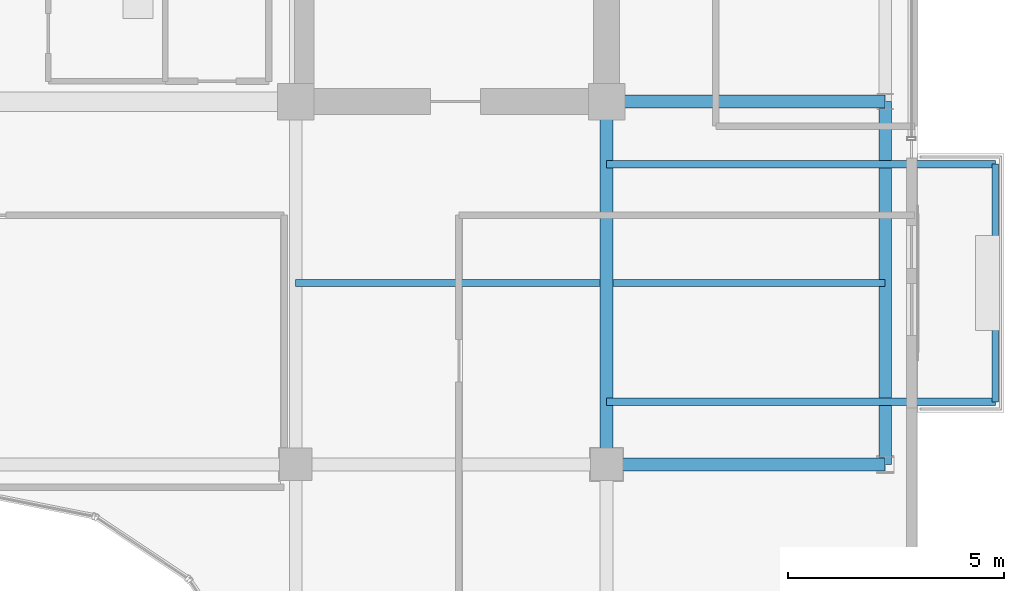
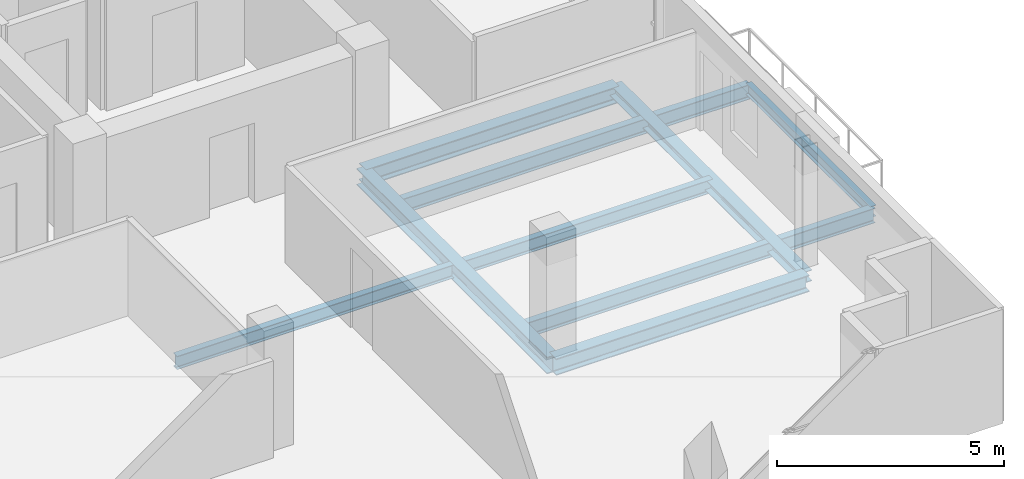
# One storey, part 14 of 29: 9 beams.
"""IFC4 building model written with IfcOpenShell, lengths in metres."""

from ifc_helpers import new_model, si_unit, direction, frame, origin, origin_2d, place, context, subcontext, project, spatial, i_section, extrude, material, material_profile, profile_set, type_object, element, save


model = new_model("IFC4")

# Units and contexts
model_context = context("Model", 3, precision=1e-05, world=origin(), true_north=direction((0.0, 1.0)))
body_context = subcontext(model_context, "Body", "Model", "MODEL_VIEW")
ifc_project = project(units=[si_unit("LENGTHUNIT", "METRE"), si_unit("AREAUNIT", "SQUARE_METRE"), si_unit("VOLUMEUNIT", "CUBIC_METRE"), si_unit("PLANEANGLEUNIT", "RADIAN"), si_unit("MASSUNIT", "GRAM", prefix="KILO")], contexts=[model_context])

# Site, building, storey
site_placement = place(None, origin())
site = spatial("IfcSite", under=ifc_project, at=site_placement, CompositionType="ELEMENT")
building_placement = place(site_placement, origin())
building = spatial("IfcBuilding", under=site, at=building_placement, Name="Zarnakvel Exchange Tower", CompositionType="ELEMENT")
storey_placement = place(building_placement, frame((0.0, 0.0, 265.0)))
storey = spatial("IfcBuildingStorey", under=building, at=storey_placement, Name="L75", CompositionType="ELEMENT", Elevation=265.0)

# Beams
ifc_material = material(Name="Steel S355", Category="steel")
ifc_material_profile_1 = material_profile(ifc_material, i_section(OverallWidth=0.179931640625, OverallDepth=0.39990234375, WebThickness=0.008544921875, FlangeThickness=0.013427734375, FilletRadius=0.02099609375, at=origin_2d()))
ifc_profile_set_1 = profile_set([ifc_material_profile_1], Name="Steel S355")
beam_type_1 = type_object("IfcBeamType", Name="B-06", PredefinedType="JOIST", material=ifc_profile_set_1)
for number, where, z_axis, x_axis, name in (
    (1, (14.39990234375, -8.14990234375, -0.425048828125), (1.0, 0.0, 0.0), (0.0, 1.0, 0.0), "L75 Continuous East Loggia Beam S"),
    (2, (14.39990234375, -2.64990234375, -0.425048828125), (1.0, 0.0, 0.0), (0.0, 1.0, 0.0), "L75 Continuous East Loggia Beam N"),
):
    element("IfcBeam", number, at=place(storey_placement, frame(where, z_axis=z_axis, x_axis=x_axis)), inside=storey, type_object=beam_type_1, Name=name, PredefinedType="JOIST", context=body_context, shape_type="SweptSolid", body=[
        extrude(i_section(OverallWidth=0.179931640625, OverallDepth=0.39990234375, WebThickness=0.008544921875, FlangeThickness=0.013427734375, FilletRadius=0.02099609375, at=origin_2d()), origin(), (0.0, 0.0, 1.0), 9.0),
    ])
ifc_material_profile_2 = material_profile(ifc_material, i_section(OverallWidth=0.169921875, OverallDepth=0.360107421875, WebThickness=0.008056640625, FlangeThickness=0.0126953125, FilletRadius=0.01806640625, at=origin_2d()))
ifc_profile_set_2 = profile_set([ifc_material_profile_2], Name="Steel S355")
beam_type_2 = type_object("IfcBeamType", Name="B-07", PredefinedType="JOIST", material=ifc_profile_set_2)
beam_1_placement = place(storey_placement, frame((7.199951171875, -5.39990234375, -0.405029296875), z_axis=(1.0, 0.0, 0.0), x_axis=(0.0, 1.0, 0.0)))
element("IfcBeam", 3, at=beam_1_placement, inside=storey, type_object=beam_type_2, Name="L75 Composite Floor Secondary Joist", PredefinedType="JOIST", context=body_context, shape_type="SweptSolid", body=[
    extrude(i_section(OverallWidth=0.169921875, OverallDepth=0.360107421875, WebThickness=0.008056640625, FlangeThickness=0.0126953125, FilletRadius=0.01806640625, at=origin_2d()), origin(), (0.0, 0.0, 1.0), 7.050048828125),
])
beam_2_placement = place(storey_placement, frame((14.550048828125, -5.39990234375, -0.405029296875), z_axis=(1.0, 0.0, 0.0), x_axis=(0.0, 1.0, 0.0)))
element("IfcBeam", 4, at=beam_2_placement, inside=storey, type_object=beam_type_2, Name="L75 Composite Floor Secondary Joist", PredefinedType="JOIST", context=body_context, shape_type="SweptSolid", body=[
    extrude(i_section(OverallWidth=0.169921875, OverallDepth=0.360107421875, WebThickness=0.008056640625, FlangeThickness=0.0126953125, FilletRadius=0.01806640625, at=origin_2d()), origin(), (0.0, 0.0, 1.0), 6.300048828125),
])
ifc_material_profile_3 = material_profile(ifc_material, i_section(OverallWidth=0.14990234375, OverallDepth=0.300048828125, WebThickness=0.007080078125, FlangeThickness=0.0107421875, FilletRadius=0.014892578125, at=origin_2d()))
ifc_profile_set_3 = profile_set([ifc_material_profile_3], Name="Steel S355")
beam_type_3 = type_object("IfcBeamType", Name="B-08", PredefinedType="JOIST", material=ifc_profile_set_3)
beam_3_placement = place(storey_placement, frame((23.39990234375, -8.14990234375, -0.375), z_axis=(0.0, 1.0, 0.0), x_axis=(-1.0, 0.0, 0.0)))
element("IfcBeam", 5, at=beam_3_placement, inside=storey, type_object=beam_type_3, Name="L75 East Loggia Edge Beam", PredefinedType="JOIST", context=body_context, shape_type="SweptSolid", body=[
    extrude(i_section(OverallWidth=0.14990234375, OverallDepth=0.300048828125, WebThickness=0.007080078125, FlangeThickness=0.0107421875, FilletRadius=0.014892578125, at=origin_2d()), origin(), (0.0, 0.0, 1.0), 5.5),
])
ifc_material_profile_4 = material_profile(ifc_material, i_section(OverallWidth=0.300048828125, OverallDepth=0.449951171875, WebThickness=0.013916015625, FlangeThickness=0.02587890625, FilletRadius=0.027099609375, at=origin_2d()))
ifc_profile_set_4 = profile_set([ifc_material_profile_4], Name="Steel S355")
beam_type_4 = type_object("IfcBeamType", Name="G-07", PredefinedType="BEAM", material=ifc_profile_set_4)
for number, where, z_axis, x_axis, name in (
    (6, (14.39990234375, -9.60009765625, -0.449951171875), (1.0, 0.0, 0.0), (0.0, 1.0, 0.0), "L75 Tower E-W Frame Beam"),
    (7, (14.39990234375, -1.199951171875, -0.449951171875), (1.0, 0.0, 0.0), (0.0, 1.0, 0.0), "L75 Tower E-W Frame Beam"),
):
    element("IfcBeam", number, at=place(storey_placement, frame(where, z_axis=z_axis, x_axis=x_axis)), inside=storey, type_object=beam_type_4, Name=name, PredefinedType="BEAM", context=body_context, shape_type="SweptSolid", body=[
        extrude(i_section(OverallWidth=0.300048828125, OverallDepth=0.449951171875, WebThickness=0.013916015625, FlangeThickness=0.02587890625, FilletRadius=0.027099609375, at=origin_2d()), origin(), (0.0, 0.0, 1.0), 6.4501953125),
    ])
beam_4_placement = place(storey_placement, frame((14.39990234375, -9.60009765625, -0.449951171875), z_axis=(0.0, 1.0, 0.0), x_axis=(-1.0, 0.0, 0.0)))
element("IfcBeam", 8, at=beam_4_placement, inside=storey, type_object=beam_type_4, Name="L75 Tower N-S Frame Beam", PredefinedType="BEAM", context=body_context, shape_type="SweptSolid", body=[
    extrude(i_section(OverallWidth=0.300048828125, OverallDepth=0.449951171875, WebThickness=0.013916015625, FlangeThickness=0.02587890625, FilletRadius=0.027099609375, at=origin_2d()), origin(), (0.0, 0.0, 1.0), 8.400146484375),
])
ifc_material_profile_5 = material_profile(ifc_material, i_section(OverallWidth=0.300048828125, OverallDepth=0.300048828125, WebThickness=0.010986328125, FlangeThickness=0.01904296875, FilletRadius=0.027099609375, at=origin_2d()))
ifc_profile_set_5 = profile_set([ifc_material_profile_5], Name="Steel S355")
beam_type_5 = type_object("IfcBeamType", Name="SP-03", PredefinedType="SPANDREL", material=ifc_profile_set_5)
beam_5_placement = place(storey_placement, frame((20.85009765625, -9.60009765625, -0.375), z_axis=(0.0, 1.0, 0.0), x_axis=(-1.0, 0.0, 0.0)))
element("IfcBeam", 9, at=beam_5_placement, inside=storey, type_object=beam_type_5, Name="L75 Tower N-S Frame Beam", PredefinedType="SPANDREL", context=body_context, shape_type="SweptSolid", body=[
    extrude(i_section(OverallWidth=0.300048828125, OverallDepth=0.300048828125, WebThickness=0.010986328125, FlangeThickness=0.01904296875, FilletRadius=0.027099609375, at=origin_2d()), origin(), (0.0, 0.0, 1.0), 8.400146484375),
])

save(model, "model.ifc")
